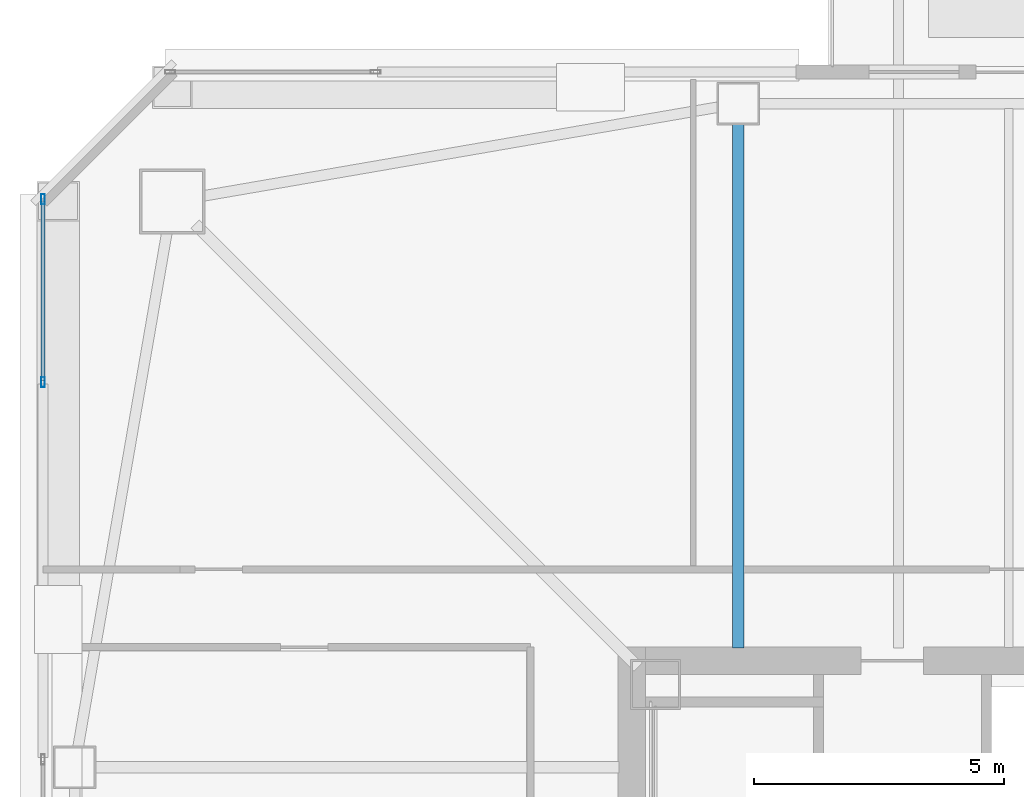
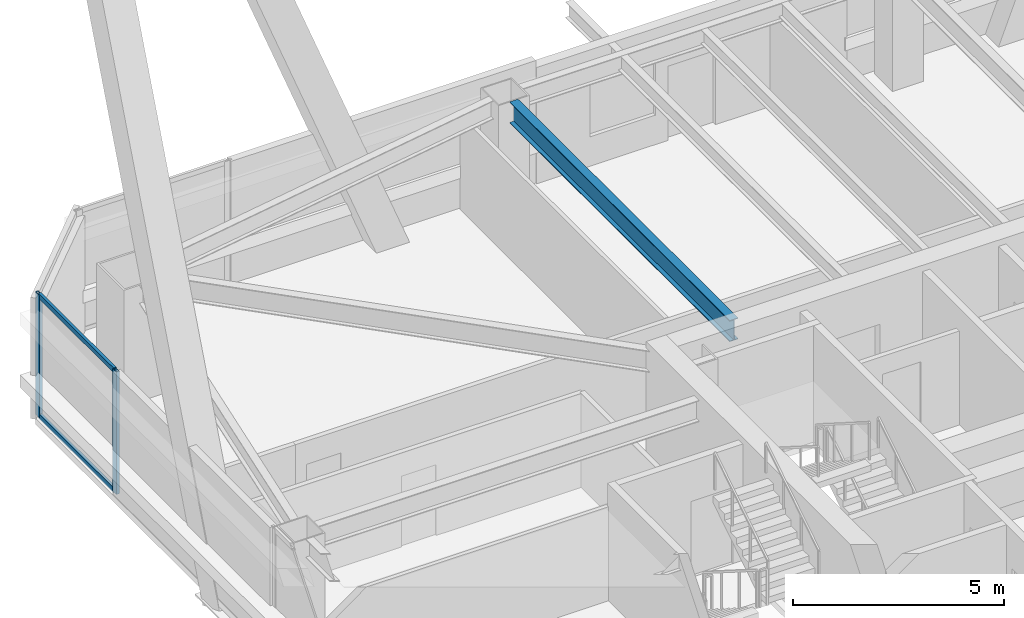
# One storey, part 17 of 54: 4 members, 1 beam, 1 element without a shape of its own.
"""IFC4 building model written with IfcOpenShell, lengths in metres."""

from ifc_helpers import new_model, si_unit, direction, frame, origin, origin_2d, place, context, subcontext, project, spatial, hollow_rectangle, i_section, extrude, material, material_profile, profile_set, type_object, element, aggregate, save


model = new_model("IFC4")

# Units and contexts
model_context = context("Model", 3, precision=1e-05, world=origin(), true_north=direction((0.0, 1.0)))
body_context = subcontext(model_context, "Body", "Model", "MODEL_VIEW")
ifc_project = project(units=[si_unit("LENGTHUNIT", "METRE"), si_unit("AREAUNIT", "SQUARE_METRE"), si_unit("VOLUMEUNIT", "CUBIC_METRE"), si_unit("PLANEANGLEUNIT", "RADIAN"), si_unit("MASSUNIT", "GRAM", prefix="KILO")], contexts=[model_context])

# Site, building, storey
site_placement = place(None, origin())
site = spatial("IfcSite", under=ifc_project, at=site_placement, CompositionType="ELEMENT")
building_placement = place(site_placement, origin())
building = spatial("IfcBuilding", under=site, at=building_placement, Name="Tashvorn Skyway Center", CompositionType="ELEMENT")
storey_placement = place(building_placement, frame((0.0, 0.0, 135.699951171875)))
storey = spatial("IfcBuildingStorey", under=building, at=storey_placement, Name="L36", CompositionType="ELEMENT", Elevation=135.699951171875)

# Beam
ifc_material_1 = material(Name="Steel ASTM A992 Grade 50", Category="steel")
ifc_material_profile_1 = material_profile(ifc_material_1, i_section(OverallWidth=0.22998046875, OverallDepth=0.616943359375, WebThickness=0.01318359375, FlangeThickness=0.022216796875, at=origin_2d()), Name="W24X94")
ifc_profile_set_1 = profile_set([ifc_material_profile_1], Name="Steel ASTM A992 Grade 50")
beam_type = type_object("IfcBeamType", Name="BM-BEAM-W24X94", PredefinedType="BEAM", material=ifc_profile_set_1)
beam_placement = place(storey_placement, frame((36.60009765625, 50.22998046875, 3.0615234375), z_axis=(0.0, -1.0, 0.0), x_axis=(1.0, 0.0, 0.0)))
element("IfcBeam", 1, at=beam_placement, inside=storey, type_object=beam_type, Name="Tower 1 L36 Primary Floor Girder FC-N2", PredefinedType="BEAM", context=body_context, shape_type="SweptSolid", body=[
    extrude(i_section(OverallWidth=0.22998046875, OverallDepth=0.616943359375, WebThickness=0.01318359375, FlangeThickness=0.022216796875, at=origin_2d()), origin(), (0.0, 0.0, 1.0), 10.449951171875),
])

# Curtain wall, members
ifc_material_2 = material(Name="Thermally broken bronze-anodized aluminium 6063-T6", Category="aluminium")
curtain_wall_type = type_object("IfcCurtainWallType", Name="CW-CW-Z3", PredefinedType="NOTDEFINED", material=ifc_material_2)
curtain_wall_placement = place(storey_placement, origin())
curtain_wall = element("IfcCurtainWall", 2, at=curtain_wall_placement, inside=storey, type_object=curtain_wall_type, Name="Tower 1 L36 West Unitised Curtain Wall Glazing Group 3", PredefinedType="NOTDEFINED")
ifc_material_profile_2 = material_profile(ifc_material_2, hollow_rectangle(XDim=0.074951171875, YDim=0.199951171875, WallThickness=0.00439453125, at=origin_2d()), Name="ALU-MULL-75x200")
ifc_profile_set_2 = profile_set([ifc_material_profile_2], Name="Thermally broken bronze-anodized aluminium 6063-T6")
member_type_1 = type_object("IfcMemberType", Name="CWM-CW-Z3", PredefinedType="MULLION", material=ifc_profile_set_2)
member_1_placement = place(storey_placement, frame((22.719970703125, 45.088623046875, 0.0), z_axis=(0.0, 0.0, 1.0), x_axis=(-1.0, 0.0, 0.0)))
member_1 = element("IfcMember", 3, at=member_1_placement, type_object=member_type_1, Name="CW-Z3 mullion 1", PredefinedType="MULLION", context=body_context, shape_type="SweptSolid", body=[
    extrude(hollow_rectangle(XDim=0.074951171875, YDim=0.199951171875, WallThickness=0.00439453125, at=origin_2d()), origin(), (0.0, 0.0, 1.0), 3.550048828125),
])
member_2_placement = place(storey_placement, frame((22.719970703125, 48.742431640625, 0.0), z_axis=(0.0, 0.0, 1.0), x_axis=(-1.0, 0.0, 0.0)))
member_2 = element("IfcMember", 4, at=member_2_placement, type_object=member_type_1, Name="CW-Z3 mullion 2", PredefinedType="MULLION", context=body_context, shape_type="SweptSolid", body=[
    extrude(hollow_rectangle(XDim=0.074951171875, YDim=0.199951171875, WallThickness=0.00439453125, at=origin_2d()), origin(), (0.0, 0.0, 1.0), 3.550048828125),
])
ifc_material_profile_3 = material_profile(ifc_material_2, hollow_rectangle(XDim=0.074951171875, YDim=0.139892578125, WallThickness=0.004150390625, at=origin_2d()), Name="ALU-TRAN-75x140")
ifc_profile_set_3 = profile_set([ifc_material_profile_3], Name="Thermally broken bronze-anodized aluminium 6063-T6")
member_type_2 = type_object("IfcMemberType", Name="CWT-CW-Z3", PredefinedType="USERDEFINED", material=ifc_profile_set_3)
member_3_placement = place(storey_placement, frame((22.719970703125, 45.126220703125, 0.03759765625), z_axis=(0.0, 1.0, 0.0), x_axis=(-1.0, 0.0, 0.0)))
member_3 = element("IfcMember", 5, at=member_3_placement, type_object=member_type_2, Name="CW-Z3 transom 1.1", ObjectType="TRANSOM", PredefinedType="USERDEFINED", context=body_context, shape_type="SweptSolid", body=[
    extrude(hollow_rectangle(XDim=0.074951171875, YDim=0.139892578125, WallThickness=0.004150390625, at=origin_2d()), origin(), (0.0, 0.0, 1.0), 3.578857421875),
])
member_4_placement = place(storey_placement, frame((22.719970703125, 45.126220703125, 3.512451171875), z_axis=(0.0, 1.0, 0.0), x_axis=(-1.0, 0.0, 0.0)))
member_4 = element("IfcMember", 6, at=member_4_placement, type_object=member_type_2, Name="CW-Z3 transom 1.2", ObjectType="TRANSOM", PredefinedType="USERDEFINED", context=body_context, shape_type="SweptSolid", body=[
    extrude(hollow_rectangle(XDim=0.074951171875, YDim=0.139892578125, WallThickness=0.004150390625, at=origin_2d()), origin(), (0.0, 0.0, 1.0), 3.578857421875),
])
aggregate(curtain_wall, [member_1, member_2, member_3, member_4])

save(model, "model.ifc")
